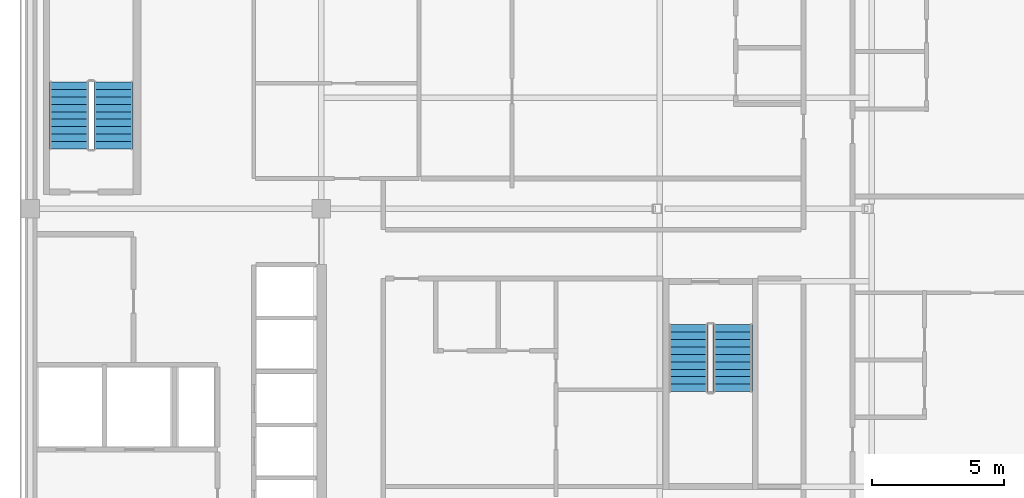
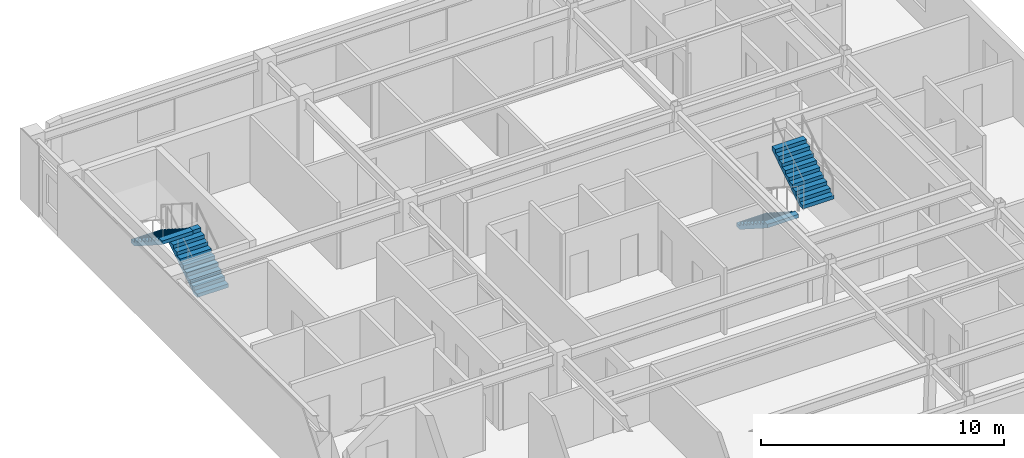
# One storey, part 6 of 8: 4 stair flights, 2 elements without a shape of their own.
"""IFC4 building model written with IfcOpenShell, lengths in metres."""

from ifc_helpers import new_model, si_unit, direction, frame, origin, place, context, subcontext, project, spatial, polyline, outline, extrude, material, type_object, element, aggregate, save


model = new_model("IFC4")

# Units and contexts
model_context = context("Model", 3, precision=1e-05, world=origin(), true_north=direction((0.0, 1.0)))
body_context = subcontext(model_context, "Body", "Model", "MODEL_VIEW")
ifc_project = project(units=[si_unit("LENGTHUNIT", "METRE"), si_unit("AREAUNIT", "SQUARE_METRE"), si_unit("VOLUMEUNIT", "CUBIC_METRE"), si_unit("PLANEANGLEUNIT", "RADIAN"), si_unit("MASSUNIT", "GRAM", prefix="KILO")], contexts=[model_context])

# Site, building, storey
site_placement = place(None, origin())
site = spatial("IfcSite", under=ifc_project, at=site_placement, CompositionType="ELEMENT")
building_placement = place(site_placement, origin())
building = spatial("IfcBuilding", under=site, at=building_placement, Name="Ochreholt Gables", CompositionType="ELEMENT")
storey_placement = place(building_placement, frame((0.0, 0.0, 227.39990234375)))
storey = spatial("IfcBuildingStorey", under=building, at=storey_placement, Name="L59", CompositionType="ELEMENT", Elevation=227.39990234375)

# Stair, stair flights
ifc_material = material(Name="Concrete 40 MPa", Category="concrete")
stair_type_1 = type_object("IfcStairType", Name="STAIR-CORE-ST-2", PredefinedType="HALF_TURN_STAIR", material=ifc_material)
stair_1_placement = place(storey_placement, origin())
stair_1 = element("IfcStair", 1, at=stair_1_placement, inside=storey, type_object=stair_type_1, Name="L59 Core Exit Stair 2", PredefinedType="HALF_TURN_STAIR")
stair_flight_type = type_object("IfcStairFlightType", Name="FLIGHT-ST-1480-1800", PredefinedType="STRAIGHT", material=ifc_material)
stair_flight_1_placement = place(storey_placement, frame((27.340087890625, 32.4599609375, 0.0), z_axis=(0.0, 0.0, 1.0), x_axis=(0.0, 1.0, 0.0)))
stair_flight_1 = element("IfcStairFlight", 2, at=stair_flight_1_placement, type_object=stair_flight_type, Name="ST-2 flight 1", NumberOfRisers=10, NumberOfTreads=9, PredefinedType="STRAIGHT", RiserHeight=0.18, TreadLength=0.282, context=body_context, shape_type="SweptSolid", body=[
    extrude(outline(polyline([(0.0, 0.0), (0.0, 0.179931640625), (0.281982421875, 0.179931640625), (0.281982421875, 0.360107421875), (0.56396484375, 0.360107421875), (0.56396484375, 0.5400390625), (0.845947265625, 0.5400390625), (0.845947265625, 0.719970703125), (1.1279296875, 0.719970703125), (1.1279296875, 0.89990234375), (1.409912109375, 0.89990234375), (1.409912109375, 1.080078125), (1.69189453125, 1.080078125), (1.69189453125, 1.260009765625), (1.97412109375, 1.260009765625), (1.97412109375, 1.43994140625), (2.256103515625, 1.43994140625), (2.256103515625, 1.6201171875), (2.5380859375, 1.6201171875), (2.5380859375, 1.800048828125), (2.5380859375, 1.442138671875), (0.278564453125, 0.0), (0.0, 0.0)])), frame((0.0, 0.739990234375, 0.0), z_axis=(0.0, -1.0, 0.0), x_axis=(1.0, 0.0, 0.0)), (0.0, 0.0, 1.0), 1.47998046875),
])
stair_flight_2_placement = place(storey_placement, frame((25.659912109375, 34.998046875, 1.800048828125), z_axis=(0.0, 0.0, 1.0), x_axis=(0.0, -1.0, 0.0)))
stair_flight_2 = element("IfcStairFlight", 3, at=stair_flight_2_placement, type_object=stair_flight_type, Name="ST-2 flight 2", NumberOfRisers=10, NumberOfTreads=9, PredefinedType="STRAIGHT", RiserHeight=0.18, TreadLength=0.282, context=body_context, shape_type="SweptSolid", body=[
    extrude(outline(polyline([(0.0, 0.0), (0.0, 0.179931640625), (0.281982421875, 0.179931640625), (0.281982421875, 0.360107421875), (0.56396484375, 0.360107421875), (0.56396484375, 0.5400390625), (0.845947265625, 0.5400390625), (0.845947265625, 0.719970703125), (1.1279296875, 0.719970703125), (1.1279296875, 0.89990234375), (1.409912109375, 0.89990234375), (1.409912109375, 1.080078125), (1.69189453125, 1.080078125), (1.69189453125, 1.260009765625), (1.97412109375, 1.260009765625), (1.97412109375, 1.43994140625), (2.256103515625, 1.43994140625), (2.256103515625, 1.6201171875), (2.5380859375, 1.6201171875), (2.5380859375, 1.800048828125), (2.5380859375, 1.442138671875), (0.278564453125, 0.0), (0.0, 0.0)])), frame((0.0, 0.739990234375, 0.0), z_axis=(0.0, -1.0, 0.0), x_axis=(1.0, 0.0, 0.0)), (0.0, 0.0, 1.0), 1.47998046875),
])
aggregate(stair_1, [stair_flight_1, stair_flight_2])

stair_type_2 = type_object("IfcStairType", Name="STAIR-CORE-ST-C6", PredefinedType="HALF_TURN_STAIR", material=ifc_material)
stair_2_placement = place(storey_placement, origin())
stair_2 = element("IfcStair", 4, at=stair_2_placement, inside=storey, type_object=stair_type_2, Name="L59 Community Feature Stair ST-C6", PredefinedType="HALF_TURN_STAIR")
stair_flight_3_placement = place(storey_placement, frame((49.090087890625, 25.820068359375, 0.0), z_axis=(0.0, 0.0, 1.0), x_axis=(0.0, -1.0, 0.0)))
stair_flight_3 = element("IfcStairFlight", 5, at=stair_flight_3_placement, type_object=stair_flight_type, Name="ST-C6 flight 1", NumberOfRisers=10, NumberOfTreads=9, PredefinedType="STRAIGHT", RiserHeight=0.18, TreadLength=0.282, context=body_context, shape_type="SweptSolid", body=[
    extrude(outline(polyline([(0.0, 0.0), (0.0, 0.179931640625), (0.281982421875, 0.179931640625), (0.281982421875, 0.360107421875), (0.56396484375, 0.360107421875), (0.56396484375, 0.5400390625), (0.845947265625, 0.5400390625), (0.845947265625, 0.719970703125), (1.1279296875, 0.719970703125), (1.1279296875, 0.89990234375), (1.409912109375, 0.89990234375), (1.409912109375, 1.080078125), (1.69189453125, 1.080078125), (1.69189453125, 1.260009765625), (1.97412109375, 1.260009765625), (1.97412109375, 1.43994140625), (2.256103515625, 1.43994140625), (2.256103515625, 1.6201171875), (2.5380859375, 1.6201171875), (2.5380859375, 1.800048828125), (2.5380859375, 1.442138671875), (0.278564453125, 0.0), (0.0, 0.0)])), frame((0.0, 0.739990234375, 0.0), z_axis=(0.0, -1.0, 0.0), x_axis=(1.0, 0.0, 0.0)), (0.0, 0.0, 1.0), 1.47998046875),
])
stair_flight_4_placement = place(storey_placement, frame((50.77001953125, 23.281982421875, 1.800048828125), z_axis=(0.0, 0.0, 1.0), x_axis=(0.0, 1.0, 0.0)))
stair_flight_4 = element("IfcStairFlight", 6, at=stair_flight_4_placement, type_object=stair_flight_type, Name="ST-C6 flight 2", NumberOfRisers=10, NumberOfTreads=9, PredefinedType="STRAIGHT", RiserHeight=0.18, TreadLength=0.282, context=body_context, shape_type="SweptSolid", body=[
    extrude(outline(polyline([(0.0, 0.0), (0.0, 0.179931640625), (0.281982421875, 0.179931640625), (0.281982421875, 0.360107421875), (0.56396484375, 0.360107421875), (0.56396484375, 0.5400390625), (0.845947265625, 0.5400390625), (0.845947265625, 0.719970703125), (1.1279296875, 0.719970703125), (1.1279296875, 0.89990234375), (1.409912109375, 0.89990234375), (1.409912109375, 1.080078125), (1.69189453125, 1.080078125), (1.69189453125, 1.260009765625), (1.97412109375, 1.260009765625), (1.97412109375, 1.43994140625), (2.256103515625, 1.43994140625), (2.256103515625, 1.6201171875), (2.5380859375, 1.6201171875), (2.5380859375, 1.800048828125), (2.5380859375, 1.442138671875), (0.278564453125, 0.0), (0.0, 0.0)])), frame((0.0, 0.739990234375, 0.0), z_axis=(0.0, -1.0, 0.0), x_axis=(1.0, 0.0, 0.0)), (0.0, 0.0, 1.0), 1.47998046875),
])
aggregate(stair_2, [stair_flight_3, stair_flight_4])

save(model, "model.ifc")
